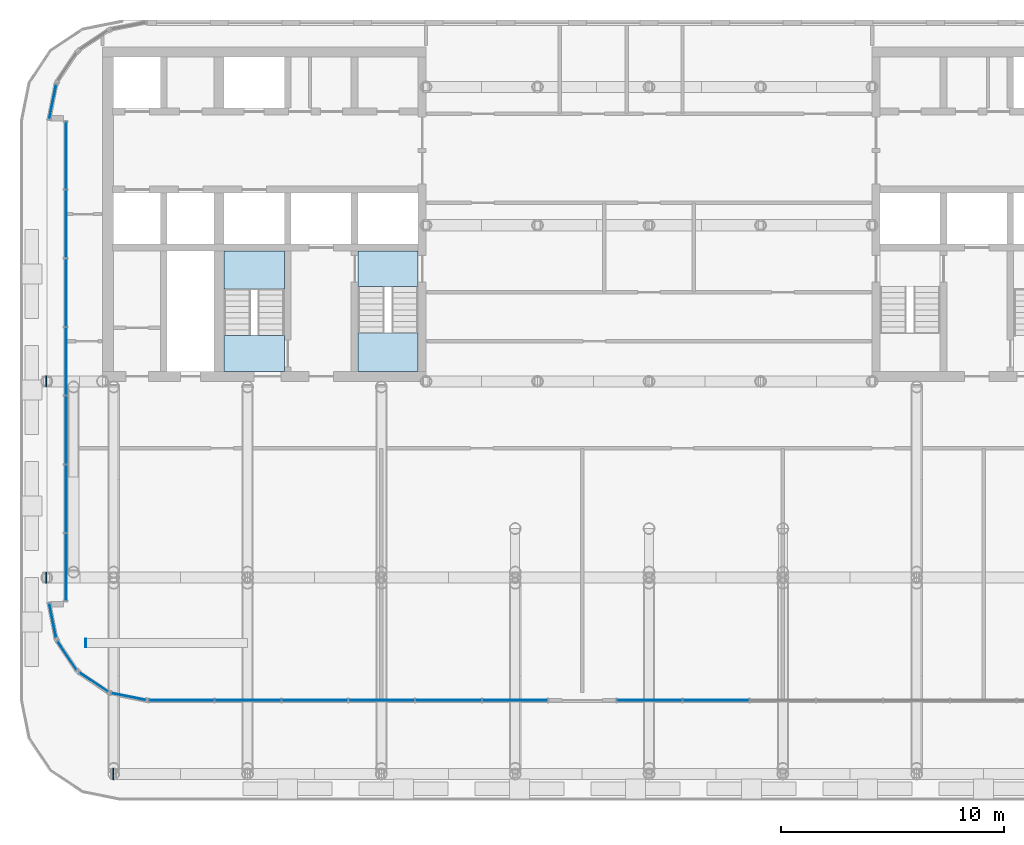
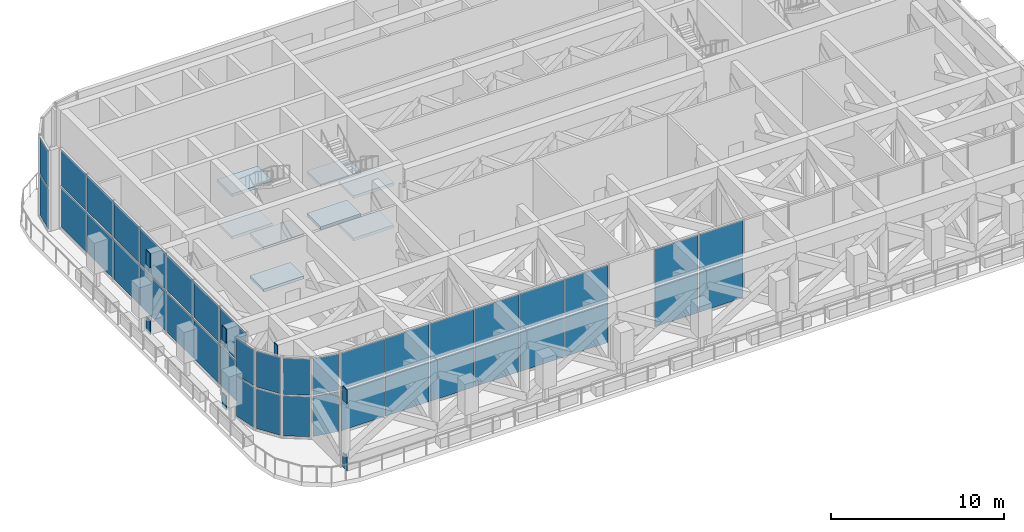
# One storey, part 8 of 20: 47 plates, 8 slabs, 10 elements without a shape of their own.
"""IFC4 building model written with IfcOpenShell, lengths in metres."""

from ifc_helpers import new_model, si_unit, direction, frame, origin, origin_2d, place, context, subcontext, project, spatial, polyline, rectangle, outline, extrude, material, layer, layer_set, type_object, element, aggregate, save


model = new_model("IFC4")

# Units and contexts
model_context = context("Model", 3, precision=1e-05, world=origin(), true_north=direction((0.0, 1.0)))
body_context = subcontext(model_context, "Body", "Model", "MODEL_VIEW")
ifc_project = project(units=[si_unit("LENGTHUNIT", "METRE"), si_unit("AREAUNIT", "SQUARE_METRE"), si_unit("VOLUMEUNIT", "CUBIC_METRE"), si_unit("PLANEANGLEUNIT", "RADIAN"), si_unit("MASSUNIT", "GRAM", prefix="KILO")], contexts=[model_context])

# Site, building, storey
site_placement = place(None, origin())
site = spatial("IfcSite", under=ifc_project, at=site_placement, CompositionType="ELEMENT")
building_placement = place(site_placement, origin())
building = spatial("IfcBuilding", under=site, at=building_placement, Name="Torana Hotel and Residences", CompositionType="ELEMENT")
storey_placement = place(building_placement, frame((0.0, 0.0, 177.60009765625)))
storey = spatial("IfcBuildingStorey", under=building, at=storey_placement, Name="L46", CompositionType="ELEMENT", Elevation=177.60009765625)

# Curtain wall, plates
ifc_material_1 = material(Name="Dark anodised aluminium", Category="aluminium")
ifc_layer_1 = layer(ifc_material_1, 0.199951171875)
ifc_layer_set_1 = layer_set([ifc_layer_1], Name="CW2 SKY LOBBY UNITISED CURTAIN WALL")
curtain_wall_type = type_object("IfcCurtainWallType", Name="CW2 SKY LOBBY UNITISED CURTAIN WALL", PredefinedType="NOTDEFINED", material=ifc_layer_set_1)
curtain_wall_1_placement = place(storey_placement, origin())
curtain_wall_1 = element("IfcCurtainWall", 1, at=curtain_wall_1_placement, inside=storey, type_object=curtain_wall_type, Name="Curtain wall CW2 L46 e0.8-1", PredefinedType="NOTDEFINED")
ifc_material_2 = material(Name="Glass dark tinted double glazed unit", Category="glass")
ifc_layer_2 = layer(ifc_material_2, 0.031982421875)
ifc_layer_set_2 = layer_set([ifc_layer_2], Name="CW2 DARK GLASS PANEL 32")
plate_type_1 = type_object("IfcPlateType", Name="CW2 DARK GLASS PANEL 32", PredefinedType="CURTAIN_PANEL", material=ifc_layer_set_2)
plate_1_placement = place(storey_placement, frame((-26.733154296875, -2.470703125, 0.11962890625), z_axis=(0.0, 0.0, 1.0), x_axis=(-0.195063848566, -0.980790545928, 0.0)))
plate_1 = element("IfcPlate", 2, at=plate_1_placement, type_object=plate_type_1, Name="CW2 panel 1.1", PredefinedType="CURTAIN_PANEL", context=body_context, shape_type="SweptSolid", body=[
    extrude(rectangle(XDim=1.54150390625, YDim=0.031982421875, at=origin_2d()), origin(), (0.0, 0.0, 1.0), 2.820068359375),
])
plate_2_placement = place(storey_placement, frame((-26.733154296875, -2.470703125, 3.059814453125), z_axis=(0.0, 0.0, 1.0), x_axis=(-0.195063848566, -0.980790545928, 0.0)))
plate_2 = element("IfcPlate", 3, at=plate_2_placement, type_object=plate_type_1, Name="CW2 panel 1.2", PredefinedType="CURTAIN_PANEL", context=body_context, shape_type="SweptSolid", body=[
    extrude(rectangle(XDim=1.54150390625, YDim=0.031982421875, at=origin_2d()), origin(), (0.0, 0.0, 1.0), 2.5400390625),
])
aggregate(curtain_wall_1, [plate_1, plate_2])

curtain_wall_2_placement = place(storey_placement, origin())
curtain_wall_2 = element("IfcCurtainWall", 4, at=curtain_wall_2_placement, inside=storey, type_object=curtain_wall_type, Name="Curtain wall CW2 L46 e0.9-1", PredefinedType="NOTDEFINED")
plate_3_placement = place(storey_placement, frame((-26.1298828125, -4.88134765625, 0.11962890625), z_axis=(0.0, 0.0, 1.0), x_axis=(0.0, -1.0, 0.0)))
plate_3 = element("IfcPlate", 5, at=plate_3_placement, type_object=plate_type_1, Name="CW2 panel 1.1", PredefinedType="CURTAIN_PANEL", context=body_context, shape_type="SweptSolid", body=[
    extrude(rectangle(XDim=2.9736328125, YDim=0.031982421875, at=origin_2d()), origin(), (0.0, 0.0, 1.0), 2.820068359375),
])
plate_4_placement = place(storey_placement, frame((-26.1298828125, -4.88134765625, 3.059814453125), z_axis=(0.0, 0.0, 1.0), x_axis=(0.0, -1.0, 0.0)))
plate_4 = element("IfcPlate", 6, at=plate_4_placement, type_object=plate_type_1, Name="CW2 panel 1.2", PredefinedType="CURTAIN_PANEL", context=body_context, shape_type="SweptSolid", body=[
    extrude(rectangle(XDim=2.9736328125, YDim=0.031982421875, at=origin_2d()), origin(), (0.0, 0.0, 1.0), 2.5400390625),
])
plate_5_placement = place(storey_placement, frame((-26.1298828125, -7.942626953125, 0.11962890625), z_axis=(0.0, 0.0, 1.0), x_axis=(0.0, -1.0, 0.0)))
plate_5 = element("IfcPlate", 7, at=plate_5_placement, type_object=plate_type_1, Name="CW2 panel 2.1", PredefinedType="CURTAIN_PANEL", context=body_context, shape_type="SweptSolid", body=[
    extrude(rectangle(XDim=3.0087890625, YDim=0.031982421875, at=origin_2d()), origin(), (0.0, 0.0, 1.0), 2.820068359375),
])
plate_6_placement = place(storey_placement, frame((-26.1298828125, -7.942626953125, 3.059814453125), z_axis=(0.0, 0.0, 1.0), x_axis=(0.0, -1.0, 0.0)))
plate_6 = element("IfcPlate", 8, at=plate_6_placement, type_object=plate_type_1, Name="CW2 panel 2.2", PredefinedType="CURTAIN_PANEL", context=body_context, shape_type="SweptSolid", body=[
    extrude(rectangle(XDim=3.0087890625, YDim=0.031982421875, at=origin_2d()), origin(), (0.0, 0.0, 1.0), 2.5400390625),
])
plate_7_placement = place(storey_placement, frame((-26.1298828125, -11.021240234375, 0.11962890625), z_axis=(0.0, 0.0, 1.0), x_axis=(0.0, -1.0, 0.0)))
plate_7 = element("IfcPlate", 9, at=plate_7_placement, type_object=plate_type_1, Name="CW2 panel 3.1", PredefinedType="CURTAIN_PANEL", context=body_context, shape_type="SweptSolid", body=[
    extrude(rectangle(XDim=3.0087890625, YDim=0.031982421875, at=origin_2d()), origin(), (0.0, 0.0, 1.0), 2.820068359375),
])
plate_8_placement = place(storey_placement, frame((-26.1298828125, -11.021240234375, 3.059814453125), z_axis=(0.0, 0.0, 1.0), x_axis=(0.0, -1.0, 0.0)))
plate_8 = element("IfcPlate", 10, at=plate_8_placement, type_object=plate_type_1, Name="CW2 panel 3.2", PredefinedType="CURTAIN_PANEL", context=body_context, shape_type="SweptSolid", body=[
    extrude(rectangle(XDim=3.0087890625, YDim=0.031982421875, at=origin_2d()), origin(), (0.0, 0.0, 1.0), 2.5400390625),
])
plate_9_placement = place(storey_placement, frame((-26.1298828125, -14.10009765625, 0.11962890625), z_axis=(0.0, 0.0, 1.0), x_axis=(0.0, -1.0, 0.0)))
plate_9 = element("IfcPlate", 11, at=plate_9_placement, type_object=plate_type_1, Name="CW2 panel 4.1", PredefinedType="CURTAIN_PANEL", context=body_context, shape_type="SweptSolid", body=[
    extrude(rectangle(XDim=3.0087890625, YDim=0.031982421875, at=origin_2d()), origin(), (0.0, 0.0, 1.0), 2.820068359375),
])
plate_10_placement = place(storey_placement, frame((-26.1298828125, -14.10009765625, 3.059814453125), z_axis=(0.0, 0.0, 1.0), x_axis=(0.0, -1.0, 0.0)))
plate_10 = element("IfcPlate", 12, at=plate_10_placement, type_object=plate_type_1, Name="CW2 panel 4.2", PredefinedType="CURTAIN_PANEL", context=body_context, shape_type="SweptSolid", body=[
    extrude(rectangle(XDim=3.0087890625, YDim=0.031982421875, at=origin_2d()), origin(), (0.0, 0.0, 1.0), 2.5400390625),
])
plate_11_placement = place(storey_placement, frame((-26.1298828125, -17.1787109375, 0.11962890625), z_axis=(0.0, 0.0, 1.0), x_axis=(0.0, -1.0, 0.0)))
plate_11 = element("IfcPlate", 13, at=plate_11_placement, type_object=plate_type_1, Name="CW2 panel 5.1", PredefinedType="CURTAIN_PANEL", context=body_context, shape_type="SweptSolid", body=[
    extrude(rectangle(XDim=3.0087890625, YDim=0.031982421875, at=origin_2d()), origin(), (0.0, 0.0, 1.0), 2.820068359375),
])
plate_12_placement = place(storey_placement, frame((-26.1298828125, -17.1787109375, 3.059814453125), z_axis=(0.0, 0.0, 1.0), x_axis=(0.0, -1.0, 0.0)))
plate_12 = element("IfcPlate", 14, at=plate_12_placement, type_object=plate_type_1, Name="CW2 panel 5.2", PredefinedType="CURTAIN_PANEL", context=body_context, shape_type="SweptSolid", body=[
    extrude(rectangle(XDim=3.0087890625, YDim=0.031982421875, at=origin_2d()), origin(), (0.0, 0.0, 1.0), 2.5400390625),
])
plate_13_placement = place(storey_placement, frame((-26.1298828125, -20.25732421875, 0.11962890625), z_axis=(0.0, 0.0, 1.0), x_axis=(0.0, -1.0, 0.0)))
plate_13 = element("IfcPlate", 15, at=plate_13_placement, type_object=plate_type_1, Name="CW2 panel 6.1", PredefinedType="CURTAIN_PANEL", context=body_context, shape_type="SweptSolid", body=[
    extrude(rectangle(XDim=3.0087890625, YDim=0.031982421875, at=origin_2d()), origin(), (0.0, 0.0, 1.0), 2.820068359375),
])
plate_14_placement = place(storey_placement, frame((-26.1298828125, -20.25732421875, 3.059814453125), z_axis=(0.0, 0.0, 1.0), x_axis=(0.0, -1.0, 0.0)))
plate_14 = element("IfcPlate", 16, at=plate_14_placement, type_object=plate_type_1, Name="CW2 panel 6.2", PredefinedType="CURTAIN_PANEL", context=body_context, shape_type="SweptSolid", body=[
    extrude(rectangle(XDim=3.0087890625, YDim=0.031982421875, at=origin_2d()), origin(), (0.0, 0.0, 1.0), 2.5400390625),
])
plate_15_placement = place(storey_placement, frame((-26.1298828125, -23.318603515625, 0.11962890625), z_axis=(0.0, 0.0, 1.0), x_axis=(0.0, -1.0, 0.0)))
plate_15 = element("IfcPlate", 17, at=plate_15_placement, type_object=plate_type_1, Name="CW2 panel 7.1", PredefinedType="CURTAIN_PANEL", context=body_context, shape_type="SweptSolid", body=[
    extrude(rectangle(XDim=2.9736328125, YDim=0.031982421875, at=origin_2d()), origin(), (0.0, 0.0, 1.0), 2.820068359375),
])
plate_16_placement = place(storey_placement, frame((-26.1298828125, -23.318603515625, 3.059814453125), z_axis=(0.0, 0.0, 1.0), x_axis=(0.0, -1.0, 0.0)))
plate_16 = element("IfcPlate", 18, at=plate_16_placement, type_object=plate_type_1, Name="CW2 panel 7.2", PredefinedType="CURTAIN_PANEL", context=body_context, shape_type="SweptSolid", body=[
    extrude(rectangle(XDim=2.9736328125, YDim=0.031982421875, at=origin_2d()), origin(), (0.0, 0.0, 1.0), 2.5400390625),
])
aggregate(curtain_wall_2, [plate_3, plate_4, plate_5, plate_6, plate_7, plate_8, plate_9, plate_10, plate_11, plate_12, plate_13, plate_14, plate_15, plate_16])

curtain_wall_3_placement = place(storey_placement, origin())
curtain_wall_3 = element("IfcCurtainWall", 19, at=curtain_wall_3_placement, inside=storey, type_object=curtain_wall_type, Name="Curtain wall CW2 L46 e0.10-1", PredefinedType="NOTDEFINED")
plate_17_placement = place(storey_placement, frame((-26.733154296875, -25.729248046875, 0.11962890625), z_axis=(0.0, 0.0, 1.0), x_axis=(0.195063848566, -0.980790545928, 0.0)))
plate_17 = element("IfcPlate", 20, at=plate_17_placement, type_object=plate_type_1, Name="CW2 panel 1.1", PredefinedType="CURTAIN_PANEL", context=body_context, shape_type="SweptSolid", body=[
    extrude(rectangle(XDim=1.54150390625, YDim=0.031982421875, at=origin_2d()), origin(), (0.0, 0.0, 1.0), 2.820068359375),
])
plate_18_placement = place(storey_placement, frame((-26.733154296875, -25.729248046875, 3.059814453125), z_axis=(0.0, 0.0, 1.0), x_axis=(0.195063848566, -0.980790545928, 0.0)))
plate_18 = element("IfcPlate", 21, at=plate_18_placement, type_object=plate_type_1, Name="CW2 panel 1.2", PredefinedType="CURTAIN_PANEL", context=body_context, shape_type="SweptSolid", body=[
    extrude(rectangle(XDim=1.54150390625, YDim=0.031982421875, at=origin_2d()), origin(), (0.0, 0.0, 1.0), 2.5400390625),
])
aggregate(curtain_wall_3, [plate_17, plate_18])

curtain_wall_4_placement = place(storey_placement, origin())
curtain_wall_4 = element("IfcCurtainWall", 22, at=curtain_wall_4_placement, inside=storey, type_object=curtain_wall_type, Name="Curtain wall CW2 L46 e0.11-1", PredefinedType="NOTDEFINED")
plate_19_placement = place(storey_placement, frame((-26.086669921875, -27.29638671875, 0.11962890625), z_axis=(0.0, 0.0, 1.0), x_axis=(0.555563713278, -0.831473968618, 0.0)))
plate_19 = element("IfcPlate", 23, at=plate_19_placement, type_object=plate_type_1, Name="CW2 panel 1.1", PredefinedType="CURTAIN_PANEL", context=body_context, shape_type="SweptSolid", body=[
    extrude(rectangle(XDim=1.516357421875, YDim=0.031982421875, at=origin_2d()), origin(), (0.0, 0.0, 1.0), 2.820068359375),
])
plate_20_placement = place(storey_placement, frame((-26.086669921875, -27.29638671875, 3.059814453125), z_axis=(0.0, 0.0, 1.0), x_axis=(0.555563713278, -0.831473968618, 0.0)))
plate_20 = element("IfcPlate", 24, at=plate_20_placement, type_object=plate_type_1, Name="CW2 panel 1.2", PredefinedType="CURTAIN_PANEL", context=body_context, shape_type="SweptSolid", body=[
    extrude(rectangle(XDim=1.516357421875, YDim=0.031982421875, at=origin_2d()), origin(), (0.0, 0.0, 1.0), 2.5400390625),
])
aggregate(curtain_wall_4, [plate_19, plate_20])

curtain_wall_5_placement = place(storey_placement, origin())
curtain_wall_5 = element("IfcCurtainWall", 25, at=curtain_wall_5_placement, inside=storey, type_object=curtain_wall_type, Name="Curtain wall CW2 L46 e0.12-1", PredefinedType="NOTDEFINED")
plate_21_placement = place(storey_placement, frame((-24.896484375, -28.486572265625, 0.11962890625), z_axis=(0.0, 0.0, 1.0), x_axis=(0.831473968618, -0.555563713278, 0.0)))
plate_21 = element("IfcPlate", 26, at=plate_21_placement, type_object=plate_type_1, Name="CW2 panel 1.1", PredefinedType="CURTAIN_PANEL", context=body_context, shape_type="SweptSolid", body=[
    extrude(rectangle(XDim=1.516357421875, YDim=0.031982421875, at=origin_2d()), origin(), (0.0, 0.0, 1.0), 2.820068359375),
])
plate_22_placement = place(storey_placement, frame((-24.896484375, -28.486572265625, 3.059814453125), z_axis=(0.0, 0.0, 1.0), x_axis=(0.831473968618, -0.555563713278, 0.0)))
plate_22 = element("IfcPlate", 27, at=plate_22_placement, type_object=plate_type_1, Name="CW2 panel 1.2", PredefinedType="CURTAIN_PANEL", context=body_context, shape_type="SweptSolid", body=[
    extrude(rectangle(XDim=1.516357421875, YDim=0.031982421875, at=origin_2d()), origin(), (0.0, 0.0, 1.0), 2.5400390625),
])
aggregate(curtain_wall_5, [plate_21, plate_22])

curtain_wall_6_placement = place(storey_placement, origin())
curtain_wall_6 = element("IfcCurtainWall", 28, at=curtain_wall_6_placement, inside=storey, type_object=curtain_wall_type, Name="Curtain wall CW2 L46 e0.13-1", PredefinedType="NOTDEFINED")
plate_23_placement = place(storey_placement, frame((-23.3291015625, -29.133056640625, 0.11962890625), z_axis=(0.0, 0.0, 1.0), x_axis=(0.980790545928, -0.195063848566, 0.0)))
plate_23 = element("IfcPlate", 29, at=plate_23_placement, type_object=plate_type_1, Name="CW2 panel 1.1", PredefinedType="CURTAIN_PANEL", context=body_context, shape_type="SweptSolid", body=[
    extrude(rectangle(XDim=1.54150390625, YDim=0.031982421875, at=origin_2d()), origin(), (0.0, 0.0, 1.0), 2.820068359375),
])
plate_24_placement = place(storey_placement, frame((-23.3291015625, -29.133056640625, 3.059814453125), z_axis=(0.0, 0.0, 1.0), x_axis=(0.980790545928, -0.195063848566, 0.0)))
plate_24 = element("IfcPlate", 30, at=plate_24_placement, type_object=plate_type_1, Name="CW2 panel 1.2", PredefinedType="CURTAIN_PANEL", context=body_context, shape_type="SweptSolid", body=[
    extrude(rectangle(XDim=1.54150390625, YDim=0.031982421875, at=origin_2d()), origin(), (0.0, 0.0, 1.0), 2.5400390625),
])
aggregate(curtain_wall_6, [plate_23, plate_24])

curtain_wall_7_placement = place(storey_placement, origin())
curtain_wall_7 = element("IfcCurtainWall", 31, at=curtain_wall_7_placement, inside=storey, type_object=curtain_wall_type, Name="Curtain wall CW2 L46 e0.14-1", PredefinedType="NOTDEFINED")
plate_25_placement = place(storey_placement, frame((-20.95947265625, -29.300048828125, 0.11962890625), z_axis=(0.0, 0.0, 1.0), x_axis=(1.0, 0.0, 0.0)))
plate_25 = element("IfcPlate", 32, at=plate_25_placement, type_object=plate_type_1, Name="CW2 panel 1.1", PredefinedType="CURTAIN_PANEL", context=body_context, shape_type="SweptSolid", body=[
    extrude(rectangle(XDim=2.8916015625, YDim=0.031982421875, at=origin_2d()), origin(), (0.0, 0.0, 1.0), 2.820068359375),
])
plate_26_placement = place(storey_placement, frame((-20.95947265625, -29.300048828125, 3.059814453125), z_axis=(0.0, 0.0, 1.0), x_axis=(1.0, 0.0, 0.0)))
plate_26 = element("IfcPlate", 33, at=plate_26_placement, type_object=plate_type_1, Name="CW2 panel 1.2", PredefinedType="CURTAIN_PANEL", context=body_context, shape_type="SweptSolid", body=[
    extrude(rectangle(XDim=2.8916015625, YDim=0.031982421875, at=origin_2d()), origin(), (0.0, 0.0, 1.0), 2.5400390625),
])
plate_27_placement = place(storey_placement, frame((-17.980224609375, -29.300048828125, 0.11962890625), z_axis=(0.0, 0.0, 1.0), x_axis=(1.0, 0.0, 0.0)))
plate_27 = element("IfcPlate", 34, at=plate_27_placement, type_object=plate_type_1, Name="CW2 panel 2.1", PredefinedType="CURTAIN_PANEL", context=body_context, shape_type="SweptSolid", body=[
    extrude(rectangle(XDim=2.9267578125, YDim=0.031982421875, at=origin_2d()), origin(), (0.0, 0.0, 1.0), 2.820068359375),
])
plate_28_placement = place(storey_placement, frame((-17.980224609375, -29.300048828125, 3.059814453125), z_axis=(0.0, 0.0, 1.0), x_axis=(1.0, 0.0, 0.0)))
plate_28 = element("IfcPlate", 35, at=plate_28_placement, type_object=plate_type_1, Name="CW2 panel 2.2", PredefinedType="CURTAIN_PANEL", context=body_context, shape_type="SweptSolid", body=[
    extrude(rectangle(XDim=2.9267578125, YDim=0.031982421875, at=origin_2d()), origin(), (0.0, 0.0, 1.0), 2.5400390625),
])
plate_29_placement = place(storey_placement, frame((-14.983642578125, -29.300048828125, 0.11962890625), z_axis=(0.0, 0.0, 1.0), x_axis=(1.0, 0.0, 0.0)))
plate_29 = element("IfcPlate", 36, at=plate_29_placement, type_object=plate_type_1, Name="CW2 panel 3.1", PredefinedType="CURTAIN_PANEL", context=body_context, shape_type="SweptSolid", body=[
    extrude(rectangle(XDim=2.9267578125, YDim=0.031982421875, at=origin_2d()), origin(), (0.0, 0.0, 1.0), 2.820068359375),
])
plate_30_placement = place(storey_placement, frame((-14.983642578125, -29.300048828125, 3.059814453125), z_axis=(0.0, 0.0, 1.0), x_axis=(1.0, 0.0, 0.0)))
plate_30 = element("IfcPlate", 37, at=plate_30_placement, type_object=plate_type_1, Name="CW2 panel 3.2", PredefinedType="CURTAIN_PANEL", context=body_context, shape_type="SweptSolid", body=[
    extrude(rectangle(XDim=2.9267578125, YDim=0.031982421875, at=origin_2d()), origin(), (0.0, 0.0, 1.0), 2.5400390625),
])
plate_31_placement = place(storey_placement, frame((-11.98681640625, -29.300048828125, 0.11962890625), z_axis=(0.0, 0.0, 1.0), x_axis=(1.0, 0.0, 0.0)))
plate_31 = element("IfcPlate", 38, at=plate_31_placement, type_object=plate_type_1, Name="CW2 panel 4.1", PredefinedType="CURTAIN_PANEL", context=body_context, shape_type="SweptSolid", body=[
    extrude(rectangle(XDim=2.9267578125, YDim=0.031982421875, at=origin_2d()), origin(), (0.0, 0.0, 1.0), 2.820068359375),
])
plate_32_placement = place(storey_placement, frame((-11.98681640625, -29.300048828125, 3.059814453125), z_axis=(0.0, 0.0, 1.0), x_axis=(1.0, 0.0, 0.0)))
plate_32 = element("IfcPlate", 39, at=plate_32_placement, type_object=plate_type_1, Name="CW2 panel 4.2", PredefinedType="CURTAIN_PANEL", context=body_context, shape_type="SweptSolid", body=[
    extrude(rectangle(XDim=2.9267578125, YDim=0.031982421875, at=origin_2d()), origin(), (0.0, 0.0, 1.0), 2.5400390625),
])
plate_33_placement = place(storey_placement, frame((-8.990234375, -29.300048828125, 0.11962890625), z_axis=(0.0, 0.0, 1.0), x_axis=(1.0, 0.0, 0.0)))
plate_33 = element("IfcPlate", 40, at=plate_33_placement, type_object=plate_type_1, Name="CW2 panel 5.1", PredefinedType="CURTAIN_PANEL", context=body_context, shape_type="SweptSolid", body=[
    extrude(rectangle(XDim=2.9267578125, YDim=0.031982421875, at=origin_2d()), origin(), (0.0, 0.0, 1.0), 2.820068359375),
])
plate_34_placement = place(storey_placement, frame((-8.990234375, -29.300048828125, 3.059814453125), z_axis=(0.0, 0.0, 1.0), x_axis=(1.0, 0.0, 0.0)))
plate_34 = element("IfcPlate", 41, at=plate_34_placement, type_object=plate_type_1, Name="CW2 panel 5.2", PredefinedType="CURTAIN_PANEL", context=body_context, shape_type="SweptSolid", body=[
    extrude(rectangle(XDim=2.9267578125, YDim=0.031982421875, at=origin_2d()), origin(), (0.0, 0.0, 1.0), 2.5400390625),
])
plate_35_placement = place(storey_placement, frame((-6.010986328125, -29.300048828125, 0.11962890625), z_axis=(0.0, 0.0, 1.0), x_axis=(1.0, 0.0, 0.0)))
plate_35 = element("IfcPlate", 42, at=plate_35_placement, type_object=plate_type_1, Name="CW2 panel 6.1", PredefinedType="CURTAIN_PANEL", context=body_context, shape_type="SweptSolid", body=[
    extrude(rectangle(XDim=2.8916015625, YDim=0.031982421875, at=origin_2d()), origin(), (0.0, 0.0, 1.0), 2.820068359375),
])
plate_36_placement = place(storey_placement, frame((-6.010986328125, -29.300048828125, 3.059814453125), z_axis=(0.0, 0.0, 1.0), x_axis=(1.0, 0.0, 0.0)))
plate_36 = element("IfcPlate", 43, at=plate_36_placement, type_object=plate_type_1, Name="CW2 panel 6.2", PredefinedType="CURTAIN_PANEL", context=body_context, shape_type="SweptSolid", body=[
    extrude(rectangle(XDim=2.8916015625, YDim=0.031982421875, at=origin_2d()), origin(), (0.0, 0.0, 1.0), 2.5400390625),
])
aggregate(curtain_wall_7, [plate_25, plate_26, plate_27, plate_28, plate_29, plate_30, plate_31, plate_32, plate_33, plate_34, plate_35, plate_36])

curtain_wall_8_placement = place(storey_placement, origin())
curtain_wall_8 = element("IfcCurtainWall", 44, at=curtain_wall_8_placement, inside=storey, type_object=curtain_wall_type, Name="Curtain wall CW2 L46 e0.14-2", PredefinedType="NOTDEFINED")
plate_37_placement = place(storey_placement, frame((0.017578125, -29.300048828125, 0.11962890625), z_axis=(0.0, 0.0, 1.0), x_axis=(1.0, 0.0, 0.0)))
plate_37 = element("IfcPlate", 45, at=plate_37_placement, type_object=plate_type_1, Name="CW2 panel 1.1", PredefinedType="CURTAIN_PANEL", context=body_context, shape_type="SweptSolid", body=[
    extrude(rectangle(XDim=2.891845703125, YDim=0.031982421875, at=origin_2d()), origin(), (0.0, 0.0, 1.0), 2.820068359375),
])
plate_38_placement = place(storey_placement, frame((0.017578125, -29.300048828125, 3.059814453125), z_axis=(0.0, 0.0, 1.0), x_axis=(1.0, 0.0, 0.0)))
plate_38 = element("IfcPlate", 46, at=plate_38_placement, type_object=plate_type_1, Name="CW2 panel 1.2", PredefinedType="CURTAIN_PANEL", context=body_context, shape_type="SweptSolid", body=[
    extrude(rectangle(XDim=2.891845703125, YDim=0.031982421875, at=origin_2d()), origin(), (0.0, 0.0, 1.0), 2.5400390625),
])
plate_39_placement = place(storey_placement, frame((2.99658203125, -29.300048828125, 0.11962890625), z_axis=(0.0, 0.0, 1.0), x_axis=(1.0, 0.0, 0.0)))
plate_39 = element("IfcPlate", 47, at=plate_39_placement, type_object=plate_type_1, Name="CW2 panel 2.1", PredefinedType="CURTAIN_PANEL", context=body_context, shape_type="SweptSolid", body=[
    extrude(rectangle(XDim=2.9267578125, YDim=0.031982421875, at=origin_2d()), origin(), (0.0, 0.0, 1.0), 2.820068359375),
])
plate_40_placement = place(storey_placement, frame((2.99658203125, -29.300048828125, 3.059814453125), z_axis=(0.0, 0.0, 1.0), x_axis=(1.0, 0.0, 0.0)))
plate_40 = element("IfcPlate", 48, at=plate_40_placement, type_object=plate_type_1, Name="CW2 panel 2.2", PredefinedType="CURTAIN_PANEL", context=body_context, shape_type="SweptSolid", body=[
    extrude(rectangle(XDim=2.9267578125, YDim=0.031982421875, at=origin_2d()), origin(), (0.0, 0.0, 1.0), 2.5400390625),
])
aggregate(curtain_wall_8, [plate_37, plate_38, plate_39, plate_40])

# Stair, slabs
ifc_material_3 = material(Name="Concrete C40/50 precast", Category="concrete")
stair_type_1 = type_object("IfcStairType", Name="STAIR ST1 HALF TURN 1200", PredefinedType="HALF_TURN_STAIR", material=ifc_material_3)
stair_1_placement = place(storey_placement, origin())
stair_1 = element("IfcStair", 49, at=stair_1_placement, inside=storey, type_object=stair_type_1, Name="Stair ST1 L46", PredefinedType="HALF_TURN_STAIR")
ifc_material_4 = material(Name="Concrete C40/50 precast", Category="concrete")
ifc_layer_3 = layer(ifc_material_4, 0.199951171875)
ifc_layer_set_3 = layer_set([ifc_layer_3], Name="STAIR LANDING 200")
slab_type = type_object("IfcSlabType", Name="STAIR LANDING 200", PredefinedType="LANDING", material=ifc_layer_set_3)
slab_1_placement = place(storey_placement, frame((0.0, 0.0, 1.2998046875)))
slab_1 = element("IfcSlab", 50, at=slab_1_placement, type_object=slab_type, Name="ST1 landing 1", PredefinedType="LANDING", context=body_context, shape_type="SweptSolid", body=[
    extrude(outline(polyline([(-13.050048828125, -14.550048828125), (-10.35009765625, -14.550048828125), (-10.35009765625, -12.830078125), (-13.050048828125, -12.830078125), (-13.050048828125, -14.550048828125)])), origin(), (0.0, 0.0, 1.0), 0.2001953125),
])
slab_2_placement = place(storey_placement, frame((0.0, 0.0, -0.2001953125)))
slab_2 = element("IfcSlab", 51, at=slab_2_placement, type_object=slab_type, Name="ST1 landing 2", PredefinedType="LANDING", context=body_context, shape_type="SweptSolid", body=[
    extrude(outline(polyline([(-13.050048828125, -10.75), (-10.35009765625, -10.75), (-10.35009765625, -9.14990234375), (-13.050048828125, -9.14990234375), (-13.050048828125, -10.75)])), origin(), (0.0, 0.0, 1.0), 0.2001953125),
])
slab_3_placement = place(storey_placement, frame((0.0, 0.0, 4.2998046875)))
slab_3 = element("IfcSlab", 52, at=slab_3_placement, type_object=slab_type, Name="ST1 landing 3", PredefinedType="LANDING", context=body_context, shape_type="SweptSolid", body=[
    extrude(outline(polyline([(-13.050048828125, -14.550048828125), (-10.35009765625, -14.550048828125), (-10.35009765625, -12.830078125), (-13.050048828125, -12.830078125), (-13.050048828125, -14.550048828125)])), origin(), (0.0, 0.0, 1.0), 0.2001953125),
])
slab_4_placement = place(storey_placement, frame((0.0, 0.0, 2.7998046875)))
slab_4 = element("IfcSlab", 53, at=slab_4_placement, type_object=slab_type, Name="ST1 landing 4", PredefinedType="LANDING", context=body_context, shape_type="SweptSolid", body=[
    extrude(outline(polyline([(-13.050048828125, -10.75), (-10.35009765625, -10.75), (-10.35009765625, -9.14990234375), (-13.050048828125, -9.14990234375), (-13.050048828125, -10.75)])), origin(), (0.0, 0.0, 1.0), 0.2001953125),
])
aggregate(stair_1, [slab_1, slab_2, slab_3, slab_4])

ifc_material_5 = material(Name="Concrete C40/50 precast", Category="concrete")
stair_type_2 = type_object("IfcStairType", Name="STAIR ST2 HALF TURN 1200", PredefinedType="HALF_TURN_STAIR", material=ifc_material_5)
stair_2_placement = place(storey_placement, origin())
stair_2 = element("IfcStair", 54, at=stair_2_placement, inside=storey, type_object=stair_type_2, Name="Stair ST2 L46", PredefinedType="HALF_TURN_STAIR")
slab_5_placement = place(storey_placement, frame((0.0, 0.0, 1.2998046875)))
slab_5 = element("IfcSlab", 55, at=slab_5_placement, type_object=slab_type, Name="ST2 landing 1", PredefinedType="LANDING", context=body_context, shape_type="SweptSolid", body=[
    extrude(outline(polyline([(-19.050048828125, -10.8701171875), (-16.35009765625, -10.8701171875), (-16.35009765625, -9.14990234375), (-19.050048828125, -9.14990234375), (-19.050048828125, -10.8701171875)])), origin(), (0.0, 0.0, 1.0), 0.2001953125),
])
slab_6_placement = place(storey_placement, frame((0.0, 0.0, -0.2001953125)))
slab_6 = element("IfcSlab", 56, at=slab_6_placement, type_object=slab_type, Name="ST2 landing 2", PredefinedType="LANDING", context=body_context, shape_type="SweptSolid", body=[
    extrude(outline(polyline([(-19.050048828125, -14.550048828125), (-16.35009765625, -14.550048828125), (-16.35009765625, -12.949951171875), (-19.050048828125, -12.949951171875), (-19.050048828125, -14.550048828125)])), origin(), (0.0, 0.0, 1.0), 0.2001953125),
])
slab_7_placement = place(storey_placement, frame((0.0, 0.0, 4.2998046875)))
slab_7 = element("IfcSlab", 57, at=slab_7_placement, type_object=slab_type, Name="ST2 landing 3", PredefinedType="LANDING", context=body_context, shape_type="SweptSolid", body=[
    extrude(outline(polyline([(-19.050048828125, -10.8701171875), (-16.35009765625, -10.8701171875), (-16.35009765625, -9.14990234375), (-19.050048828125, -9.14990234375), (-19.050048828125, -10.8701171875)])), origin(), (0.0, 0.0, 1.0), 0.2001953125),
])
slab_8_placement = place(storey_placement, frame((0.0, 0.0, 2.7998046875)))
slab_8 = element("IfcSlab", 58, at=slab_8_placement, type_object=slab_type, Name="ST2 landing 4", PredefinedType="LANDING", context=body_context, shape_type="SweptSolid", body=[
    extrude(outline(polyline([(-19.050048828125, -14.550048828125), (-16.35009765625, -14.550048828125), (-16.35009765625, -12.949951171875), (-19.050048828125, -12.949951171875), (-19.050048828125, -14.550048828125)])), origin(), (0.0, 0.0, 1.0), 0.2001953125),
])
aggregate(stair_2, [slab_5, slab_6, slab_7, slab_8])

# Plates
ifc_material_6 = material(Name="Steel S355", Category="steel")
ifc_layer_4 = layer(ifc_material_6, 0.0400390625)
ifc_layer_set_4 = layer_set([ifc_layer_4], Name="STEEL END PLATE 40")
plate_type_2 = type_object("IfcPlateType", Name="STEEL END PLATE 40", PredefinedType="SHEET", material=ifc_layer_set_4)
plate_41_placement = place(storey_placement, frame((-25.260009765625, -26.72998046875, 4.52001953125), z_axis=(0.0, 0.0, 1.0), x_axis=(-1.0, 0.0, 0.0)))
element("IfcPlate", 59, at=plate_41_placement, inside=storey, type_object=plate_type_2, Name="End plate L46", PredefinedType="SHEET", context=body_context, shape_type="SweptSolid", body=[
    extrude(rectangle(XDim=0.0400390625, YDim=0.39990234375, at=origin_2d()), origin(), (0.0, 0.0, 1.0), 1.199951171875),
])
ifc_material_7 = material(Name="Steel S355", Category="steel")
ifc_layer_5 = layer(ifc_material_7, 0.050048828125)
ifc_layer_set_5 = layer_set([ifc_layer_5], Name="STEEL END PLATE 50")
plate_type_3 = type_object("IfcPlateType", Name="STEEL END PLATE 50", PredefinedType="SHEET", material=ifc_layer_set_5)
for number, where, z_axis, x_axis, name in (
    (60, (-24.02490234375, -32.60009765625, 0.0), (0.0, 0.0, 1.0), (-1.0, 0.0, 0.0), "End plate L46"),
    (61, (-24.02490234375, -32.60009765625, 4.719970703125), (0.0, 0.0, 1.0), (-1.0, 0.0, 0.0), "End plate L46"),
    (62, (-27.02490234375, -23.800048828125, 0.0), (0.0, 0.0, 1.0), (-1.0, 0.0, 0.0), "End plate L46"),
    (63, (-27.02490234375, -23.800048828125, 4.719970703125), (0.0, 0.0, 1.0), (-1.0, 0.0, 0.0), "End plate L46"),
    (64, (-27.02490234375, -15.0, 0.0), (0.0, 0.0, 1.0), (-1.0, 0.0, 0.0), "End plate L46"),
    (65, (-27.02490234375, -15.0, 4.719970703125), (0.0, 0.0, 1.0), (-1.0, 0.0, 0.0), "End plate L46"),
):
    element("IfcPlate", number, at=place(storey_placement, frame(where, z_axis=z_axis, x_axis=x_axis)), inside=storey, type_object=plate_type_3, Name=name, PredefinedType="SHEET", context=body_context, shape_type="SweptSolid", body=[
        extrude(rectangle(XDim=0.050048828125, YDim=0.5, at=origin_2d()), origin(), (0.0, 0.0, 1.0), 1.0),
    ])

save(model, "model.ifc")
